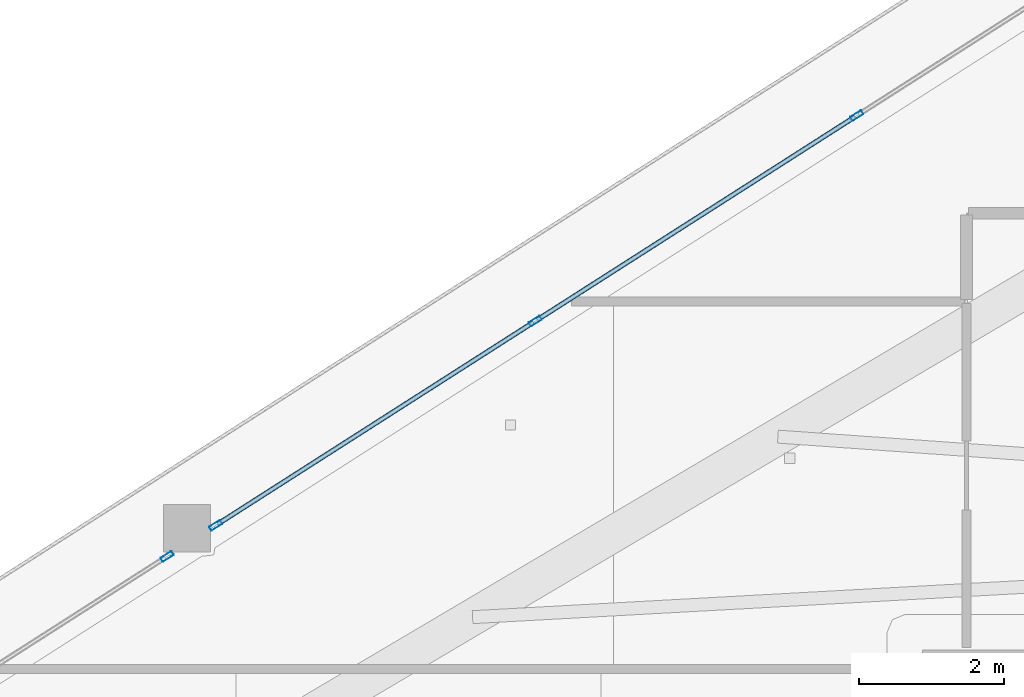
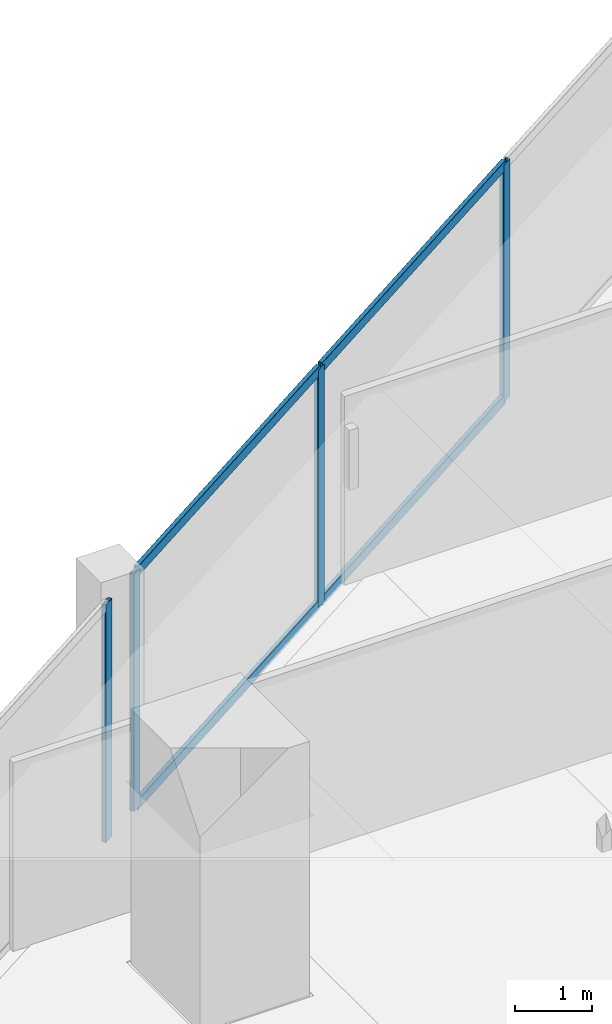
# One storey, part 13 of 33: 8 members, 2 elements without a shape of their own.
"""IFC4 building model written with IfcOpenShell, lengths in metres."""

from ifc_helpers import new_model, si_unit, direction, frame, origin, origin_2d, place, context, subcontext, project, spatial, hollow_rectangle, extrude, material, layer, layer_set, material_profile, profile_set, type_object, element, aggregate, save


model = new_model("IFC4")

# Units and contexts
model_context = context("Model", 3, precision=1e-05, world=origin(), true_north=direction((0.0, 1.0)))
body_context = subcontext(model_context, "Body", "Model", "MODEL_VIEW")
ifc_project = project(units=[si_unit("LENGTHUNIT", "METRE"), si_unit("AREAUNIT", "SQUARE_METRE"), si_unit("VOLUMEUNIT", "CUBIC_METRE"), si_unit("PLANEANGLEUNIT", "RADIAN"), si_unit("MASSUNIT", "GRAM", prefix="KILO")], contexts=[model_context])

# Site, building, storey
site_placement = place(None, origin())
site = spatial("IfcSite", under=ifc_project, at=site_placement, CompositionType="ELEMENT")
building_placement = place(site_placement, origin())
building = spatial("IfcBuilding", under=site, at=building_placement, Name="Qorvath Tower", CompositionType="ELEMENT")
storey_placement = place(building_placement, frame((0.0, 0.0, 237.449951171875)))
storey = spatial("IfcBuildingStorey", under=building, at=storey_placement, Name="L55", CompositionType="ELEMENT", Elevation=237.449951171875)

# Curtain wall, members
ifc_material_1 = material(Name="Anodised aluminium and triple low-E glass", Category="aluminium")
ifc_layer = layer(ifc_material_1, 0.179931640625)
ifc_layer_set = layer_set([ifc_layer], Name="CW-SYS-3")
curtain_wall_type = type_object("IfcCurtainWallType", Name="CW-SYS-3", PredefinedType="NOTDEFINED", material=ifc_layer_set)
curtain_wall_1_placement = place(storey_placement, origin())
curtain_wall_1 = element("IfcCurtainWall", 1, at=curtain_wall_1_placement, inside=storey, type_object=curtain_wall_type, Name="Curtain Wall CW-3 CW-T-L55-16.1", PredefinedType="NOTDEFINED")
ifc_material_2 = material(Name="Anodised aluminium 6063-T6", Category="aluminium")
ifc_material_profile_1 = material_profile(ifc_material_2, hollow_rectangle(XDim=0.06494140625, YDim=0.179931640625, WallThickness=0.00341796875, InnerFilletRadius=0.00341796875, OuterFilletRadius=0.007080078125, at=origin_2d()), Name="CWM 180x65")
ifc_profile_set_1 = profile_set([ifc_material_profile_1], Name="Anodised aluminium 6063-T6")
member_type_1 = type_object("IfcMemberType", Name="CWM-180", PredefinedType="MULLION", material=ifc_profile_set_1)
member_1_placement = place(storey_placement, frame((-39.365234375, 12.099365234375, 0.0), z_axis=(0.0, 0.0, 1.0), x_axis=(0.53852851579, -0.842607285561, 0.0)))
member_1 = element("IfcMember", 2, at=member_1_placement, type_object=member_type_1, Name="CW-3 mullion 6", PredefinedType="MULLION", context=body_context, shape_type="SweptSolid", body=[
    extrude(hollow_rectangle(XDim=0.06494140625, YDim=0.179931640625, WallThickness=0.00341796875, InnerFilletRadius=0.00341796875, OuterFilletRadius=0.007080078125, at=origin_2d()), origin(), (0.0, 0.0, 1.0), 3.780029296875),
])
member_2_placement = place(storey_placement, frame((-43.786865234375, 9.273193359375, 0.0), z_axis=(0.0, 0.0, 1.0), x_axis=(0.53852851579, -0.842607285561, 0.0)))
member_2 = element("IfcMember", 3, at=member_2_placement, type_object=member_type_1, Name="CW-3 mullion 7", PredefinedType="MULLION", context=body_context, shape_type="SweptSolid", body=[
    extrude(hollow_rectangle(XDim=0.06494140625, YDim=0.179931640625, WallThickness=0.00341796875, InnerFilletRadius=0.00341796875, OuterFilletRadius=0.007080078125, at=origin_2d()), origin(), (0.0, 0.0, 1.0), 3.780029296875),
])
member_3_placement = place(storey_placement, frame((-48.18115234375, 6.46484375, 0.0), z_axis=(0.0, 0.0, 1.0), x_axis=(0.53852851579, -0.842607285561, 0.0)))
member_3 = element("IfcMember", 4, at=member_3_placement, type_object=member_type_1, Name="CW-3 mullion 8", PredefinedType="MULLION", context=body_context, shape_type="SweptSolid", body=[
    extrude(hollow_rectangle(XDim=0.06494140625, YDim=0.179931640625, WallThickness=0.00341796875, InnerFilletRadius=0.00341796875, OuterFilletRadius=0.007080078125, at=origin_2d()), origin(), (0.0, 0.0, 1.0), 3.780029296875),
])

# Curtain wall, member
curtain_wall_2_placement = place(storey_placement, origin())
curtain_wall_2 = element("IfcCurtainWall", 5, at=curtain_wall_2_placement, inside=storey, type_object=curtain_wall_type, Name="Curtain Wall CW-3 CW-T-L55-16.2", PredefinedType="NOTDEFINED")
member_4_placement = place(storey_placement, frame((-48.85009765625, 6.037109375, 0.0), z_axis=(0.0, 0.0, 1.0), x_axis=(0.53853775412, -0.842601381074, 0.0)))
member_4 = element("IfcMember", 6, at=member_4_placement, type_object=member_type_1, Name="CW-3 mullion 1", PredefinedType="MULLION", context=body_context, shape_type="SweptSolid", body=[
    extrude(hollow_rectangle(XDim=0.06494140625, YDim=0.179931640625, WallThickness=0.00341796875, InnerFilletRadius=0.00341796875, OuterFilletRadius=0.007080078125, at=origin_2d()), origin(), (0.0, 0.0, 1.0), 3.780029296875),
])
aggregate(curtain_wall_2, [member_4])

# Member
ifc_material_3 = material(Name="Anodised aluminium 6063-T6", Category="aluminium")
ifc_material_profile_2 = material_profile(ifc_material_3, hollow_rectangle(XDim=0.06494140625, YDim=0.159912109375, WallThickness=0.00341796875, InnerFilletRadius=0.00341796875, OuterFilletRadius=0.007080078125, at=origin_2d()), Name="CWT 160x65")
ifc_profile_set_2 = profile_set([ifc_material_profile_2], Name="Anodised aluminium 6063-T6")
member_type_2 = type_object("IfcMemberType", Name="CWT-160", PredefinedType="USERDEFINED", material=ifc_profile_set_2)
member_5_placement = place(storey_placement, frame((-39.392578125, 12.081787109375, 0.032470703125), z_axis=(-0.842606602471, -0.538529584584, 0.0), x_axis=(0.538529584584, -0.842606602471, 0.0)))
member_5 = element("IfcMember", 7, at=member_5_placement, type_object=member_type_2, Name="CW-3 transom 6.1", ObjectType="TRANSOM", PredefinedType="USERDEFINED", context=body_context, shape_type="SweptSolid", body=[
    extrude(hollow_rectangle(XDim=0.06494140625, YDim=0.159912109375, WallThickness=0.00341796875, InnerFilletRadius=0.00341796875, OuterFilletRadius=0.007080078125, at=origin_2d()), origin(), (0.0, 0.0, 1.0), 5.1826171875),
])

member_6_placement = place(storey_placement, frame((-39.392578125, 12.081787109375, 3.74755859375), z_axis=(-0.842606602471, -0.538529584584, 0.0), x_axis=(0.538529584584, -0.842606602471, 0.0)))
member_6 = element("IfcMember", 8, at=member_6_placement, type_object=member_type_2, Name="CW-3 transom 6.2", ObjectType="TRANSOM", PredefinedType="USERDEFINED", context=body_context, shape_type="SweptSolid", body=[
    extrude(hollow_rectangle(XDim=0.06494140625, YDim=0.159912109375, WallThickness=0.00341796875, InnerFilletRadius=0.00341796875, OuterFilletRadius=0.007080078125, at=origin_2d()), origin(), (0.0, 0.0, 1.0), 5.1826171875),
])

member_7_placement = place(storey_placement, frame((-43.814208984375, 9.255859375, 0.032470703125), z_axis=(-0.842615597711, -0.538515509985, 0.0), x_axis=(0.538515509985, -0.842615597711, 0.0)))
member_7 = element("IfcMember", 9, at=member_7_placement, type_object=member_type_2, Name="CW-3 transom 7.1", ObjectType="TRANSOM", PredefinedType="USERDEFINED", context=body_context, shape_type="SweptSolid", body=[
    extrude(hollow_rectangle(XDim=0.06494140625, YDim=0.159912109375, WallThickness=0.00341796875, InnerFilletRadius=0.00341796875, OuterFilletRadius=0.007080078125, at=origin_2d()), origin(), (0.0, 0.0, 1.0), 5.150146484375),
])

member_8_placement = place(storey_placement, frame((-43.814208984375, 9.255859375, 3.74755859375), z_axis=(-0.842615597711, -0.538515509985, 0.0), x_axis=(0.538515509985, -0.842615597711, 0.0)))
member_8 = element("IfcMember", 10, at=member_8_placement, type_object=member_type_2, Name="CW-3 transom 7.2", ObjectType="TRANSOM", PredefinedType="USERDEFINED", context=body_context, shape_type="SweptSolid", body=[
    extrude(hollow_rectangle(XDim=0.06494140625, YDim=0.159912109375, WallThickness=0.00341796875, InnerFilletRadius=0.00341796875, OuterFilletRadius=0.007080078125, at=origin_2d()), origin(), (0.0, 0.0, 1.0), 5.150146484375),
])

aggregate(curtain_wall_1, [member_1, member_2, member_3, member_5, member_6, member_7, member_8])

save(model, "model.ifc")
